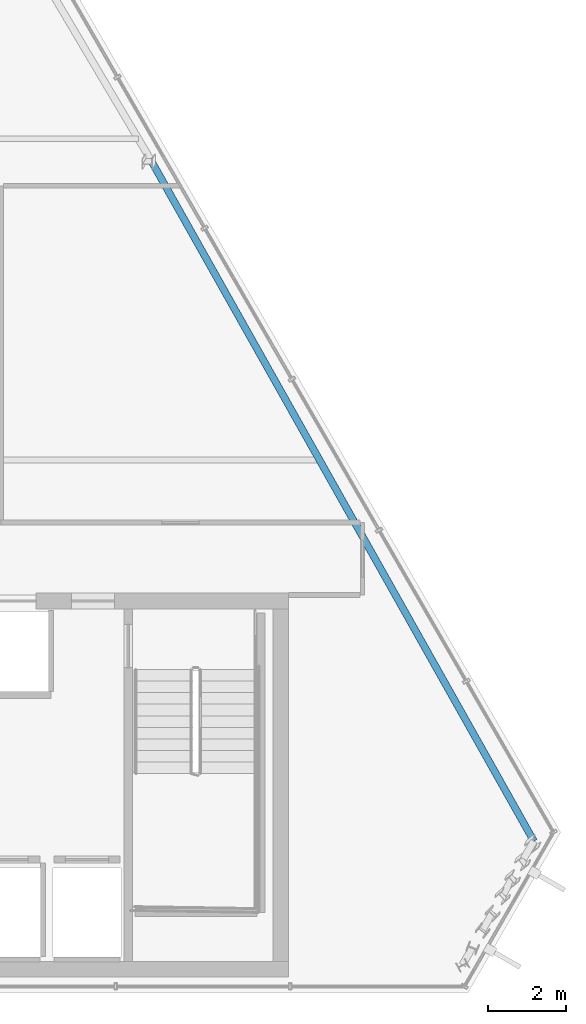
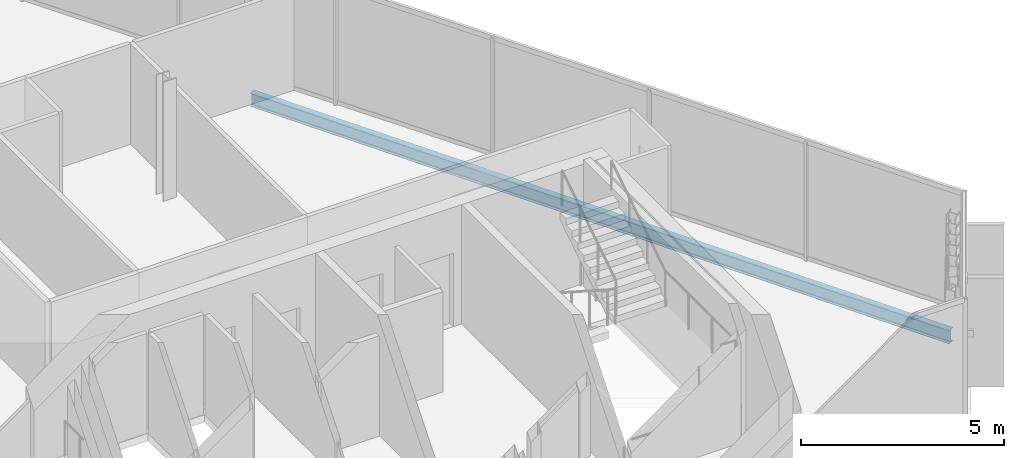
# One storey, part 21 of 32: 1 beam.
"""IFC4 building model written with IfcOpenShell, lengths in metres."""

from ifc_helpers import new_model, si_unit, direction, frame, origin, origin_2d, place, context, subcontext, project, spatial, i_section, extrude, material, material_profile, profile_set, type_object, element, save


model = new_model("IFC4")

# Units and contexts
model_context = context("Model", 3, precision=1e-05, world=origin(), true_north=direction((0.0, 1.0)))
body_context = subcontext(model_context, "Body", "Model", "MODEL_VIEW")
ifc_project = project(units=[si_unit("LENGTHUNIT", "METRE"), si_unit("AREAUNIT", "SQUARE_METRE"), si_unit("VOLUMEUNIT", "CUBIC_METRE"), si_unit("PLANEANGLEUNIT", "RADIAN"), si_unit("MASSUNIT", "GRAM", prefix="KILO")], contexts=[model_context])

# Site, building, storey
site_placement = place(None, origin())
site = spatial("IfcSite", under=ifc_project, at=site_placement, CompositionType="ELEMENT")
building_placement = place(site_placement, origin())
building = spatial("IfcBuilding", under=site, at=building_placement, Name="Ndaravel Arena Tower", CompositionType="ELEMENT")
storey_placement = place(building_placement, frame((0.0, 0.0, 290.89990234375)))
storey = spatial("IfcBuildingStorey", under=building, at=storey_placement, Name="L71", CompositionType="ELEMENT", Elevation=290.89990234375)

# Beam
ifc_material = material(Name="Steel S355", Category="steel")
ifc_material_profile = material_profile(ifc_material, i_section(OverallWidth=0.179931640625, OverallDepth=0.39990234375, WebThickness=0.008544921875, FlangeThickness=0.013427734375, FilletRadius=0.02099609375, at=origin_2d()), Name="IPE 400")
ifc_profile_set = profile_set([ifc_material_profile], Name="Steel S355")
beam_type = type_object("IfcBeamType", Name="BM-SPAN-IPE400", PredefinedType="SPANDREL", material=ifc_profile_set)
beam_placement = place(storey_placement, frame((63.807373046875, 8.869873046875, -0.419921875), z_axis=(-0.490170744619, 0.871626434386, 0.0), x_axis=(-0.871626434386, -0.490170744619, 0.0)))
element("IfcBeam", 1, at=beam_placement, inside=storey, type_object=beam_type, Name="L71 Perimeter Spandrel Beam SP-09", PredefinedType="SPANDREL", context=body_context, shape_type="SweptSolid", body=[
    extrude(i_section(OverallWidth=0.179931640625, OverallDepth=0.39990234375, WebThickness=0.008544921875, FlangeThickness=0.013427734375, FilletRadius=0.02099609375, at=origin_2d()), origin(), (0.0, 0.0, 1.0), 19.982177734375),
])

save(model, "model.ifc")
